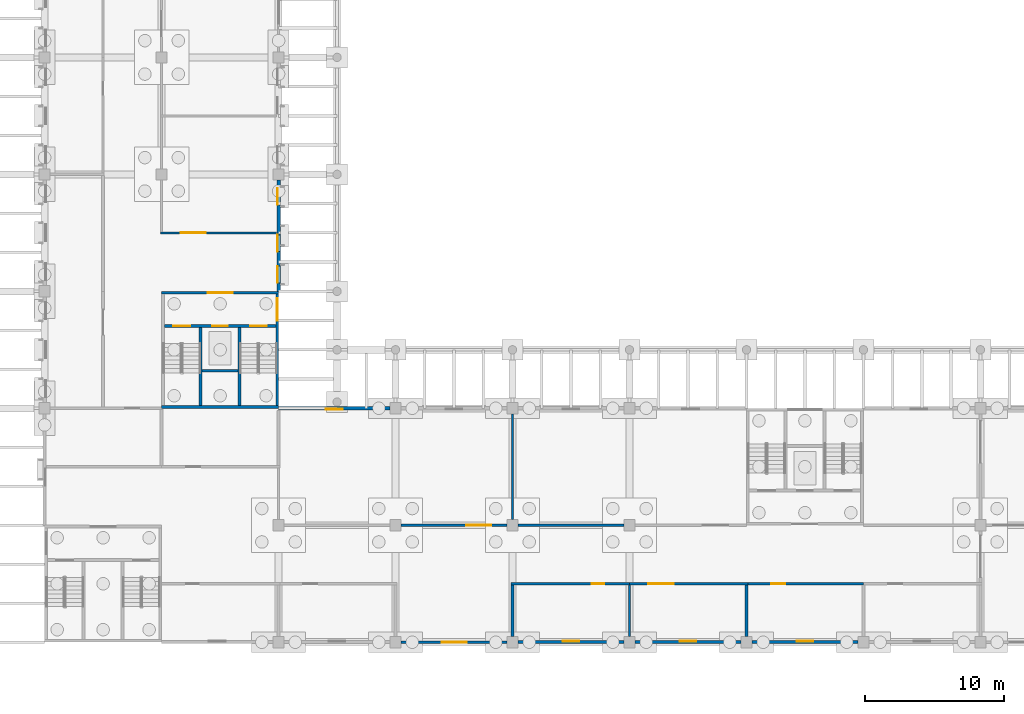
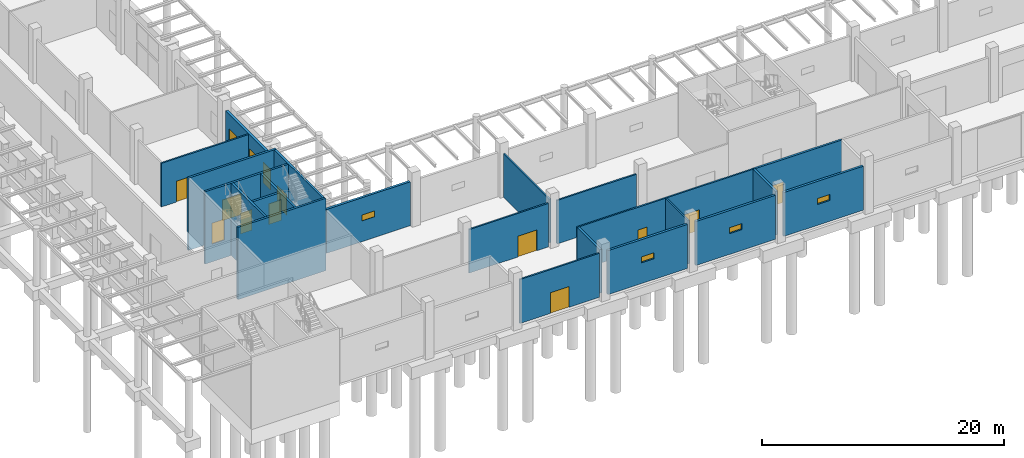
# One storey, part 26 of 82: 23 walls, 11 doors, 7 windows, 18 openings.
"""IFC4 building model written with IfcOpenShell, lengths in metres."""

from ifc_helpers import new_model, si_unit, direction, frame, frame_2d, origin, place, context, subcontext, project, spatial, rectangle, extrude, material, layer, layer_set, type_object, element, fill, save


model = new_model("IFC4")

# Units and contexts
model_context = context("Model", 3, precision=1e-05, world=origin(), true_north=direction((0.0, 1.0)))
body_context = subcontext(model_context, "Body", "Model", "MODEL_VIEW")
ifc_project = project(units=[si_unit("LENGTHUNIT", "METRE"), si_unit("AREAUNIT", "SQUARE_METRE"), si_unit("VOLUMEUNIT", "CUBIC_METRE"), si_unit("PLANEANGLEUNIT", "RADIAN"), si_unit("MASSUNIT", "GRAM", prefix="KILO")], contexts=[model_context])

# Site, building, storey
site_placement = place(None, origin())
site = spatial("IfcSite", under=ifc_project, at=site_placement, CompositionType="ELEMENT")
building_placement = place(site_placement, origin())
building = spatial("IfcBuilding", under=site, at=building_placement, Name="Almond Square Museum", CompositionType="ELEMENT")
storey_placement = place(building_placement, origin())
storey = spatial("IfcBuildingStorey", under=building, at=storey_placement, Name="L00", CompositionType="ELEMENT", Elevation=0.0)

# Wall, opening, door
ifc_material_1 = material(Name="Concrete blockwork 200", Category="masonry")
ifc_layer_1 = layer(ifc_material_1, 0.199951171875)
ifc_layer_set_1 = layer_set([ifc_layer_1], Name="Concrete blockwork 200")
wall_type_1 = type_object("IfcWallType", Name="Fire partition 200 blockwork", PredefinedType="PARTITIONING", material=ifc_layer_set_1)
wall_1_placement = place(storey_placement, frame((56.300048828125, 4.199951171875, 0.0), z_axis=(0.0, 0.0, 1.0), x_axis=(1.0, 0.0, 0.0)))
wall_1 = element("IfcWall", 1, at=wall_1_placement, inside=storey, type_object=wall_type_1, Name="L00 partition 104", PredefinedType="PARTITIONING", context=body_context, shape_type="SweptSolid", body=[
    extrude(rectangle(XDim=8.5, YDim=0.199951171875, at=frame_2d((4.25, 0.0))), origin(), (0.0, 0.0, 1.0), 4.39990234375),
])
opening_1_placement = place(wall_1_placement, frame((1.875, 0.0, 0.0)))
opening_1 = element("IfcOpeningElement", 2, at=opening_1_placement, cuts=wall_1, Name="Opening D0131", PredefinedType="OPENING", context=body_context, shape_type="SweptSolid", body=[
    extrude(rectangle(XDim=1.0, YDim=2.10009765625, at=frame_2d((0.5, 1.050048828125))), frame((0.0, 0.10986328125, 0.0), z_axis=(0.0, -1.0, 0.0), x_axis=(1.0, 0.0, 0.0)), (0.0, 0.0, 1.0), 0.219970703125),
])
ifc_material_2 = material(Name="Steel", Category="steel")
door_type_1 = type_object("IfcDoorType", Name="Fire door 1000 x 2100 FD60 single", OperationType="NOTDEFINED", PredefinedType="DOOR", material=ifc_material_2)
door_1_placement = place(opening_1_placement, origin())
door_1 = element("IfcDoor", 3, at=door_1_placement, inside=storey, type_object=door_type_1, Name="L00 door Switch Room to Service Corridor 2", OperationType="SINGLE_SWING_RIGHT", OverallHeight=2.10009765625, OverallWidth=1.0, PredefinedType="DOOR", context=body_context, shape_type="SweptSolid", body=[
    extrude(rectangle(XDim=1.0, YDim=2.10009765625, at=frame_2d((0.5, 1.050048828125))), frame((0.0, 0.02490234375, 0.0), z_axis=(0.0, -1.0, 0.0), x_axis=(1.0, 0.0, 0.0)), (0.0, 0.0, 1.0), 0.050048828125),
])
fill(opening_1, door_1)

# Walls
for number, where, z_axis, x_axis, name in (
    (4, (39.60009765625, 0.39990234375, 0.0), (0.0, 0.0, 1.0), (0.0, 1.0, 0.0), "L00 partition 110"),
    (5, (56.39990234375, 0.39990234375, 0.0), (0.0, 0.0, 1.0), (0.0, 1.0, 0.0), "L00 partition 113"),
):
    element("IfcWall", number, at=place(storey_placement, frame(where, z_axis=z_axis, x_axis=x_axis)), inside=storey, type_object=wall_type_1, Name=name, PredefinedType="PARTITIONING", context=body_context, shape_type="SweptSolid", body=[
        extrude(rectangle(XDim=3.72509765625, YDim=0.199951171875, at=frame_2d((1.862548828125, 0.0))), origin(), (0.0, 0.0, 1.0), 4.39990234375),
    ])

# Wall, opening, door
ifc_material_3 = material(Name="Aluminium and laminated glass", Category="aluminium")
ifc_layer_2 = layer(ifc_material_3, 0.14990234375)
ifc_layer_set_2 = layer_set([ifc_layer_2], Name="Aluminium and laminated glass")
wall_type_2 = type_object("IfcWallType", Name="Glazed entrance screen 150", PredefinedType="ELEMENTEDWALL", material=ifc_layer_set_2)
wall_2_placement = place(storey_placement, frame((31.60009765625, 0.0, 0.0), z_axis=(0.0, 0.0, 1.0), x_axis=(1.0, 0.0, 0.0)))
wall_2 = element("IfcWall", 6, at=wall_2_placement, inside=storey, type_object=wall_type_2, Name="External wall W6 V5S L00 S03", PredefinedType="ELEMENTEDWALL", context=body_context, shape_type="SweptSolid", body=[
    extrude(rectangle(XDim=7.599853515625, YDim=0.14990234375, at=frame_2d((3.7998046875, 0.0))), origin(), (0.0, 0.0, 1.0), 4.43994140625),
])
opening_2_placement = place(wall_2_placement, frame((2.89990234375, 0.0, 0.0)))
opening_2 = element("IfcOpeningElement", 7, at=opening_2_placement, cuts=wall_2, Name="Opening D001", PredefinedType="OPENING", context=body_context, shape_type="SweptSolid", body=[
    extrude(rectangle(XDim=1.800048828125, YDim=2.10009765625, at=frame_2d((0.89990234375, 1.050048828125))), frame((0.0, 0.0849609375, 0.0), z_axis=(0.0, -1.0, 0.0), x_axis=(1.0, 0.0, 0.0)), (0.0, 0.0, 1.0), 0.169921875),
])
ifc_material_4 = material(Name="Steel frame and timber leaf", Category="steel")
door_type_2 = type_object("IfcDoorType", Name="Staff entrance door 1800 x 2100", OperationType="NOTDEFINED", PredefinedType="DOOR", material=ifc_material_4)
door_2_placement = place(opening_2_placement, origin())
door_2 = element("IfcDoor", 8, at=door_2_placement, inside=storey, type_object=door_type_2, Name="Staff Entrance door D001", OperationType="SINGLE_SWING_RIGHT", OverallHeight=2.10009765625, OverallWidth=1.800048828125, PredefinedType="DOOR", context=body_context, shape_type="SweptSolid", body=[
    extrude(rectangle(XDim=1.800048828125, YDim=2.10009765625, at=frame_2d((0.89990234375, 1.050048828125))), frame((0.0, 0.02490234375, 0.0), z_axis=(0.0, -1.0, 0.0), x_axis=(1.0, 0.0, 0.0)), (0.0, 0.0, 1.0), 0.050048828125),
])
fill(opening_2, door_2)

ifc_material_5 = material(Name="Plasterboard on steel stud", Category="steel")
ifc_layer_3 = layer(ifc_material_5, 0.14990234375)
ifc_layer_set_3 = layer_set([ifc_layer_3], Name="Plasterboard on steel stud")
wall_type_3 = type_object("IfcWallType", Name="Partition 150 plasterboard on steel stud", PredefinedType="PARTITIONING", material=ifc_layer_set_3)
wall_3_placement = place(storey_placement, frame((14.324951171875, 29.39990234375, 0.0), z_axis=(0.0, 0.0, 1.0), x_axis=(1.0, 0.0, 0.0)))
wall_3 = element("IfcWall", 9, at=wall_3_placement, inside=storey, type_object=wall_type_3, Name="L00 partition 58", PredefinedType="PARTITIONING", context=body_context, shape_type="SweptSolid", body=[
    extrude(rectangle(XDim=8.324951171875, YDim=0.14990234375, at=frame_2d((4.16259765625, 0.0))), origin(), (0.0, 0.0, 1.0), 4.39990234375),
])
opening_3_placement = place(wall_3_placement, frame((1.4375, 0.0, 0.0)))
opening_3 = element("IfcOpeningElement", 10, at=opening_3_placement, cuts=wall_3, Name="Opening D0119", PredefinedType="OPENING", context=body_context, shape_type="SweptSolid", body=[
    extrude(rectangle(XDim=1.800048828125, YDim=2.10009765625, at=frame_2d((0.89990234375, 1.050048828125))), frame((0.0, 0.0849609375, 0.0), z_axis=(0.0, -1.0, 0.0), x_axis=(1.0, 0.0, 0.0)), (0.0, 0.0, 1.0), 0.169921875),
])
ifc_material_6 = material(Name="Timber", Category="wood")
door_type_3 = type_object("IfcDoorType", Name="Door 1800 x 2100 timber double", OperationType="NOTDEFINED", PredefinedType="DOOR", material=ifc_material_6)
door_3_placement = place(opening_3_placement, origin())
door_3 = element("IfcDoor", 11, at=door_3_placement, inside=storey, type_object=door_type_3, Name="L00 door Learning Studio 3 to Wing Corridor", OperationType="DOUBLE_DOOR_SINGLE_SWING", OverallHeight=2.10009765625, OverallWidth=1.800048828125, PredefinedType="DOOR", context=body_context, shape_type="SweptSolid", body=[
    extrude(rectangle(XDim=1.800048828125, YDim=2.10009765625, at=frame_2d((0.89990234375, 1.050048828125))), frame((0.0, 0.02490234375, 0.0), z_axis=(0.0, -1.0, 0.0), x_axis=(1.0, 0.0, 0.0)), (0.0, 0.0, 1.0), 0.050048828125),
])
fill(opening_3, door_3)

# Wall
wall_4_placement = place(storey_placement, frame((39.60009765625, 8.800048828125, 0.0), z_axis=(0.0, 0.0, 1.0), x_axis=(0.0, 1.0, 0.0)))
element("IfcWall", 12, at=wall_4_placement, inside=storey, type_object=wall_type_3, Name="L00 partition 80", PredefinedType="PARTITIONING", context=body_context, shape_type="SweptSolid", body=[
    extrude(rectangle(XDim=7.599853515625, YDim=0.14990234375, at=frame_2d((3.7998046875, 0.0))), origin(), (0.0, 0.0, 1.0), 4.39990234375),
])

# Wall, opening, door
wall_5_placement = place(storey_placement, frame((31.60009765625, 8.39990234375, 0.0), z_axis=(0.0, 0.0, 1.0), x_axis=(1.0, 0.0, 0.0)))
wall_5 = element("IfcWall", 13, at=wall_5_placement, inside=storey, type_object=wall_type_3, Name="L00 partition 82", PredefinedType="PARTITIONING", context=body_context, shape_type="SweptSolid", body=[
    extrude(rectangle(XDim=7.599853515625, YDim=0.14990234375, at=frame_2d((3.7998046875, 0.0))), origin(), (0.0, 0.0, 1.0), 4.39990234375),
])
opening_4_placement = place(wall_5_placement, frame((4.675048828125, 0.0, 0.0)))
opening_4 = element("IfcOpeningElement", 14, at=opening_4_placement, cuts=wall_5, Name="Opening D0125", PredefinedType="OPENING", context=body_context, shape_type="SweptSolid", body=[
    extrude(rectangle(XDim=1.800048828125, YDim=2.10009765625, at=frame_2d((0.89990234375, 1.050048828125))), frame((0.0, 0.0849609375, 0.0), z_axis=(0.0, -1.0, 0.0), x_axis=(1.0, 0.0, 0.0)), (0.0, 0.0, 1.0), 0.169921875),
])
door_4_placement = place(opening_4_placement, origin())
door_4 = element("IfcDoor", 15, at=door_4_placement, inside=storey, type_object=door_type_3, Name="L00 door Quarantine Room to Service Corridor 2", OperationType="DOUBLE_DOOR_SINGLE_SWING", OverallHeight=2.10009765625, OverallWidth=1.800048828125, PredefinedType="DOOR", context=body_context, shape_type="SweptSolid", body=[
    extrude(rectangle(XDim=1.800048828125, YDim=2.10009765625, at=frame_2d((0.89990234375, 1.050048828125))), frame((0.0, 0.02490234375, 0.0), z_axis=(0.0, -1.0, 0.0), x_axis=(1.0, 0.0, 0.0)), (0.0, 0.0, 1.0), 0.050048828125),
])
fill(opening_4, door_4)

# Wall
wall_6_placement = place(storey_placement, frame((40.0, 8.39990234375, 0.0), z_axis=(0.0, 0.0, 1.0), x_axis=(1.0, 0.0, 0.0)))
element("IfcWall", 16, at=wall_6_placement, inside=storey, type_object=wall_type_3, Name="L00 partition 83", PredefinedType="PARTITIONING", context=body_context, shape_type="SweptSolid", body=[
    extrude(rectangle(XDim=7.60009765625, YDim=0.14990234375, at=frame_2d((3.800048828125, 0.0))), origin(), (0.0, 0.0, 1.0), 4.39990234375),
])

# Wall, opening, door
wall_7_placement = place(storey_placement, frame((39.5, 4.199951171875, 0.0), z_axis=(0.0, 0.0, 1.0), x_axis=(1.0, 0.0, 0.0)))
wall_7 = element("IfcWall", 17, at=wall_7_placement, inside=storey, type_object=wall_type_3, Name="L00 partition 102", PredefinedType="PARTITIONING", context=body_context, shape_type="SweptSolid", body=[
    extrude(rectangle(XDim=8.5, YDim=0.14990234375, at=frame_2d((4.25, 0.0))), origin(), (0.0, 0.0, 1.0), 4.39990234375),
])
opening_5_placement = place(wall_7_placement, frame((5.78759765625, 0.0, 0.0)))
opening_5 = element("IfcOpeningElement", 18, at=opening_5_placement, cuts=wall_7, Name="Opening D0129", PredefinedType="OPENING", context=body_context, shape_type="SweptSolid", body=[
    extrude(rectangle(XDim=0.89990234375, YDim=2.10009765625, at=frame_2d((0.449951171875, 1.050048828125))), frame((0.0, 0.0849609375, 0.0), z_axis=(0.0, -1.0, 0.0), x_axis=(1.0, 0.0, 0.0)), (0.0, 0.0, 1.0), 0.169921875),
])
ifc_material_7 = material(Name="Timber", Category="wood")
door_type_4 = type_object("IfcDoorType", Name="Door 900 x 2100 timber single", OperationType="NOTDEFINED", PredefinedType="DOOR", material=ifc_material_7)
door_5_placement = place(opening_5_placement, origin())
door_5 = element("IfcDoor", 19, at=door_5_placement, inside=storey, type_object=door_type_4, Name="L00 door Staff Cloakroom to Service Corridor 2", OperationType="SINGLE_SWING_RIGHT", OverallHeight=2.10009765625, OverallWidth=0.89990234375, PredefinedType="DOOR", context=body_context, shape_type="SweptSolid", body=[
    extrude(rectangle(XDim=0.89990234375, YDim=2.10009765625, at=frame_2d((0.449951171875, 1.050048828125))), frame((0.0, 0.02490234375, 0.0), z_axis=(0.0, -1.0, 0.0), x_axis=(1.0, 0.0, 0.0)), (0.0, 0.0, 1.0), 0.050048828125),
])
fill(opening_5, door_5)

wall_8_placement = place(storey_placement, frame((48.0, 4.199951171875, 0.0), z_axis=(0.0, 0.0, 1.0), x_axis=(1.0, 0.0, 0.0)))
wall_8 = element("IfcWall", 20, at=wall_8_placement, inside=storey, type_object=wall_type_3, Name="L00 partition 103", PredefinedType="PARTITIONING", context=body_context, shape_type="SweptSolid", body=[
    extrude(rectangle(XDim=8.5, YDim=0.14990234375, at=frame_2d((4.25, 0.0))), origin(), (0.0, 0.0, 1.0), 4.39990234375),
])
opening_6_placement = place(wall_8_placement, frame((1.362548828125, 0.0, 0.0)))
opening_6 = element("IfcOpeningElement", 21, at=opening_6_placement, cuts=wall_8, Name="Opening D0130", PredefinedType="OPENING", context=body_context, shape_type="SweptSolid", body=[
    extrude(rectangle(XDim=1.800048828125, YDim=2.10009765625, at=frame_2d((0.89990234375, 1.050048828125))), frame((0.0, 0.0849609375, 0.0), z_axis=(0.0, -1.0, 0.0), x_axis=(1.0, 0.0, 0.0)), (0.0, 0.0, 1.0), 0.169921875),
])
door_6_placement = place(opening_6_placement, origin())
door_6 = element("IfcDoor", 22, at=door_6_placement, inside=storey, type_object=door_type_3, Name="L00 door Staff Lounge to Service Corridor 2", OperationType="DOUBLE_DOOR_SINGLE_SWING", OverallHeight=2.10009765625, OverallWidth=1.800048828125, PredefinedType="DOOR", context=body_context, shape_type="SweptSolid", body=[
    extrude(rectangle(XDim=1.800048828125, YDim=2.10009765625, at=frame_2d((0.89990234375, 1.050048828125))), frame((0.0, 0.02490234375, 0.0), z_axis=(0.0, -1.0, 0.0), x_axis=(1.0, 0.0, 0.0)), (0.0, 0.0, 1.0), 0.050048828125),
])
fill(opening_6, door_6)

# Wall
wall_9_placement = place(storey_placement, frame((48.0, 0.39990234375, 0.0), z_axis=(0.0, 0.0, 1.0), x_axis=(0.0, 1.0, 0.0)))
element("IfcWall", 23, at=wall_9_placement, inside=storey, type_object=wall_type_3, Name="L00 partition 112", PredefinedType="PARTITIONING", context=body_context, shape_type="SweptSolid", body=[
    extrude(rectangle(XDim=3.72509765625, YDim=0.14990234375, at=frame_2d((1.862548828125, 0.0))), origin(), (0.0, 0.0, 1.0), 4.39990234375),
])

# Wall, openings, windows
ifc_material_8 = material(Name="Precast concrete C40/50", Category="concrete")
ifc_layer_4 = layer(ifc_material_8, 0.25)
ifc_layer_set_4 = layer_set([ifc_layer_4], Name="Precast concrete C40/50")
wall_type_4 = type_object("IfcWallType", Name="Precast concrete panel wall 250 with coral limestone piers", PredefinedType="SOLIDWALL", material=ifc_layer_set_4)
wall_10_placement = place(storey_placement, frame((22.800048828125, 25.199951171875, 0.0), z_axis=(0.0, 0.0, 1.0), x_axis=(0.0, 1.0, 0.0)))
wall_10 = element("IfcWall", 24, at=wall_10_placement, inside=storey, type_object=wall_type_4, Name="External wall W2 V4W L00 E01", PredefinedType="SOLIDWALL", context=body_context, shape_type="SweptSolid", body=[
    extrude(rectangle(XDim=8.0, YDim=0.25, at=frame_2d((4.0, 0.0))), origin(), (0.0, 0.0, 1.0), 4.43994140625),
])
opening_7_placement = place(wall_10_placement, frame((0.60009765625, 0.0, 0.89990234375)))
opening_7 = element("IfcOpeningElement", 25, at=opening_7_placement, cuts=wall_10, Name="Opening W0035", PredefinedType="OPENING", context=body_context, shape_type="SweptSolid", body=[
    extrude(rectangle(XDim=1.199951171875, YDim=2.10009765625, at=frame_2d((0.60009765625, 1.050048828125))), frame((0.0, 0.135009765625, 0.0), z_axis=(0.0, -1.0, 0.0), x_axis=(1.0, 0.0, 0.0)), (0.0, 0.0, 1.0), 0.27001953125),
])
opening_8_placement = place(wall_10_placement, frame((2.85009765625, 0.0, 0.89990234375)))
opening_8 = element("IfcOpeningElement", 26, at=opening_8_placement, cuts=wall_10, Name="Opening W0036", PredefinedType="OPENING", context=body_context, shape_type="SweptSolid", body=[
    extrude(rectangle(XDim=1.199951171875, YDim=2.10009765625, at=frame_2d((0.60009765625, 1.050048828125))), frame((0.0, 0.135009765625, 0.0), z_axis=(0.0, -1.0, 0.0), x_axis=(1.0, 0.0, 0.0)), (0.0, 0.0, 1.0), 0.27001953125),
])
opening_9_placement = place(wall_10_placement, frame((6.199951171875, 0.0, 0.89990234375)))
opening_9 = element("IfcOpeningElement", 27, at=opening_9_placement, cuts=wall_10, Name="Opening W0037", PredefinedType="OPENING", context=body_context, shape_type="SweptSolid", body=[
    extrude(rectangle(XDim=1.199951171875, YDim=2.10009765625, at=frame_2d((0.60009765625, 1.050048828125))), frame((0.0, 0.135009765625, 0.0), z_axis=(0.0, -1.0, 0.0), x_axis=(1.0, 0.0, 0.0)), (0.0, 0.0, 1.0), 0.27001953125),
])
ifc_material_9 = material(Name="Anodised aluminium louvre and laminated glass", Category="aluminium")
window_type_1 = type_object("IfcWindowType", Name="Louvred pier window", PartitioningType="SINGLE_PANEL", PredefinedType="WINDOW", material=ifc_material_9)
window_1_placement = place(opening_7_placement, origin())
window_1 = element("IfcWindow", 28, at=window_1_placement, inside=storey, type_object=window_type_1, Name="Louvred pier window W0035", OverallHeight=2.10009765625, OverallWidth=1.199951171875, PartitioningType="SINGLE_PANEL", PredefinedType="WINDOW", context=body_context, shape_type="SweptSolid", body=[
    extrude(rectangle(XDim=1.199951171875, YDim=2.10009765625, at=frame_2d((0.60009765625, 1.050048828125))), frame((0.0, 0.10498046875, 0.0), z_axis=(0.0, -1.0, 0.0), x_axis=(1.0, 0.0, 0.0)), (0.0, 0.0, 1.0), 0.06005859375),
])
fill(opening_7, window_1)
window_2_placement = place(opening_8_placement, origin())
window_2 = element("IfcWindow", 29, at=window_2_placement, inside=storey, type_object=window_type_1, Name="Louvred pier window W0036", OverallHeight=2.10009765625, OverallWidth=1.199951171875, PartitioningType="SINGLE_PANEL", PredefinedType="WINDOW", context=body_context, shape_type="SweptSolid", body=[
    extrude(rectangle(XDim=1.199951171875, YDim=2.10009765625, at=frame_2d((0.60009765625, 1.050048828125))), frame((0.0, 0.10498046875, 0.0), z_axis=(0.0, -1.0, 0.0), x_axis=(1.0, 0.0, 0.0)), (0.0, 0.0, 1.0), 0.06005859375),
])
fill(opening_8, window_2)
window_3_placement = place(opening_9_placement, origin())
window_3 = element("IfcWindow", 30, at=window_3_placement, inside=storey, type_object=window_type_1, Name="Louvred pier window W0037", OverallHeight=2.10009765625, OverallWidth=1.199951171875, PartitioningType="SINGLE_PANEL", PredefinedType="WINDOW", context=body_context, shape_type="SweptSolid", body=[
    extrude(rectangle(XDim=1.199951171875, YDim=2.10009765625, at=frame_2d((0.60009765625, 1.050048828125))), frame((0.0, 0.10498046875, 0.0), z_axis=(0.0, -1.0, 0.0), x_axis=(1.0, 0.0, 0.0)), (0.0, 0.0, 1.0), 0.06005859375),
])
fill(opening_9, window_3)

# Wall
ifc_material_10 = material(Name="Concrete C40/50", Category="concrete")
ifc_layer_5 = layer(ifc_material_10, 0.199951171875)
ifc_layer_set_5 = layer_set([ifc_layer_5], Name="Concrete C40/50")
wall_type_5 = type_object("IfcWallType", Name="RC shear wall 200 C40/50", PredefinedType="SHEAR", material=ifc_layer_set_5)
wall_11_placement = place(storey_placement, frame((14.39990234375, 16.89990234375, -1.800048828125), z_axis=(0.0, 0.0, 1.0), x_axis=(1.0, 0.0, 0.0)))
element("IfcWall", 31, at=wall_11_placement, inside=storey, type_object=wall_type_5, Name="Core W1 south wall L00", PredefinedType="SHEAR", context=body_context, shape_type="SweptSolid", body=[
    extrude(rectangle(XDim=8.400146484375, YDim=0.199951171875, at=frame_2d((4.2001953125, 0.0))), origin(), (0.0, 0.0, 1.0), 7.300048828125),
])

# Wall, opening, door
wall_12_placement = place(storey_placement, frame((14.39990234375, 25.10009765625, -1.800048828125), z_axis=(0.0, 0.0, 1.0), x_axis=(1.0, 0.0, 0.0)))
wall_12 = element("IfcWall", 32, at=wall_12_placement, inside=storey, type_object=wall_type_5, Name="Core W1 north wall L00", PredefinedType="SHEAR", context=body_context, shape_type="SweptSolid", body=[
    extrude(rectangle(XDim=8.400146484375, YDim=0.199951171875, at=frame_2d((4.2001953125, 0.0))), origin(), (0.0, 0.0, 1.0), 7.300048828125),
])
opening_10_placement = place(wall_12_placement, frame((3.300048828125, 0.0, 1.800048828125)))
opening_10 = element("IfcOpeningElement", 33, at=opening_10_placement, cuts=wall_12, Name="Opening D0192", PredefinedType="OPENING", context=body_context, shape_type="SweptSolid", body=[
    extrude(rectangle(XDim=1.800048828125, YDim=2.10009765625, at=frame_2d((0.89990234375, 1.050048828125))), frame((0.0, 0.10986328125, 0.0), z_axis=(0.0, -1.0, 0.0), x_axis=(1.0, 0.0, 0.0)), (0.0, 0.0, 1.0), 0.219970703125),
])
ifc_material_11 = material(Name="Steel", Category="steel")
door_type_5 = type_object("IfcDoorType", Name="Fire door 1800 x 2100 FD60 double", OperationType="NOTDEFINED", PredefinedType="DOOR", material=ifc_material_11)
door_7_placement = place(opening_10_placement, origin())
door_7 = element("IfcDoor", 34, at=door_7_placement, inside=storey, type_object=door_type_5, Name="L00 stair core W1 lobby door", OperationType="DOUBLE_DOOR_SINGLE_SWING", OverallHeight=2.10009765625, OverallWidth=1.800048828125, PredefinedType="DOOR", context=body_context, shape_type="SweptSolid", body=[
    extrude(rectangle(XDim=1.800048828125, YDim=2.10009765625, at=frame_2d((0.89990234375, 1.050048828125))), frame((0.0, 0.02490234375, 0.0), z_axis=(0.0, -1.0, 0.0), x_axis=(1.0, 0.0, 0.0)), (0.0, 0.0, 1.0), 0.050048828125),
])
fill(opening_10, door_7)

wall_13_placement = place(storey_placement, frame((22.699951171875, 25.0, -1.800048828125), z_axis=(0.0, 0.0, 1.0), x_axis=(0.0, -1.0, 0.0)))
wall_13 = element("IfcWall", 35, at=wall_13_placement, inside=storey, type_object=wall_type_5, Name="Core W1 east wall L00", PredefinedType="SHEAR", context=body_context, shape_type="SweptSolid", body=[
    extrude(rectangle(XDim=8.0, YDim=0.199951171875, at=frame_2d((4.0, 0.0))), origin(), (0.0, 0.0, 1.0), 7.300048828125),
])
opening_11_placement = place(wall_13_placement, frame((0.300048828125, 0.0, 1.800048828125)))
opening_11 = element("IfcOpeningElement", 36, at=opening_11_placement, cuts=wall_13, Name="Opening D028", PredefinedType="OPENING", context=body_context, shape_type="SweptSolid", body=[
    extrude(rectangle(XDim=1.60009765625, YDim=2.10009765625, at=frame_2d((0.800048828125, 1.050048828125))), frame((0.0, 0.10986328125, 0.0), z_axis=(0.0, -1.0, 0.0), x_axis=(1.0, 0.0, 0.0)), (0.0, 0.0, 1.0), 0.219970703125),
])
ifc_material_12 = material(Name="Steel frame and steel leaf", Category="steel")
door_type_6 = type_object("IfcDoorType", Name="Stair exit door pair 1600 x 2100", OperationType="NOTDEFINED", PredefinedType="DOOR", material=ifc_material_12)
door_8_placement = place(opening_11_placement, origin())
door_8 = element("IfcDoor", 37, at=door_8_placement, inside=storey, type_object=door_type_6, Name="Stair Exit W1 door D028", OperationType="DOUBLE_DOOR_SINGLE_SWING", OverallHeight=2.10009765625, OverallWidth=1.60009765625, PredefinedType="DOOR", context=body_context, shape_type="SweptSolid", body=[
    extrude(rectangle(XDim=1.60009765625, YDim=2.10009765625, at=frame_2d((0.800048828125, 1.050048828125))), frame((0.0, 0.02490234375, 0.0), z_axis=(0.0, -1.0, 0.0), x_axis=(1.0, 0.0, 0.0)), (0.0, 0.0, 1.0), 0.050048828125),
])
fill(opening_11, door_8)

# Wall, openings, doors
wall_14_placement = place(storey_placement, frame((14.60009765625, 22.699951171875, -1.800048828125), z_axis=(0.0, 0.0, 1.0), x_axis=(1.0, 0.0, 0.0)))
wall_14 = element("IfcWall", 38, at=wall_14_placement, inside=storey, type_object=wall_type_5, Name="Core W1 lobby wall L00", PredefinedType="SHEAR", context=body_context, shape_type="SweptSolid", body=[
    extrude(rectangle(XDim=8.0, YDim=0.199951171875, at=frame_2d((4.0, 0.0))), origin(), (0.0, 0.0, 1.0), 7.300048828125),
])
opening_12_placement = place(wall_14_placement, frame((0.64990234375, 0.0, 1.800048828125)))
opening_12 = element("IfcOpeningElement", 39, at=opening_12_placement, cuts=wall_14, Name="Opening D0193", PredefinedType="OPENING", context=body_context, shape_type="SweptSolid", body=[
    extrude(rectangle(XDim=1.199951171875, YDim=2.10009765625, at=frame_2d((0.60009765625, 1.050048828125))), frame((0.0, 0.10986328125, 0.0), z_axis=(0.0, -1.0, 0.0), x_axis=(1.0, 0.0, 0.0)), (0.0, 0.0, 1.0), 0.219970703125),
])
opening_13_placement = place(wall_14_placement, frame((6.14990234375, 0.0, 1.800048828125)))
opening_13 = element("IfcOpeningElement", 40, at=opening_13_placement, cuts=wall_14, Name="Opening D0194", PredefinedType="OPENING", context=body_context, shape_type="SweptSolid", body=[
    extrude(rectangle(XDim=1.199951171875, YDim=2.10009765625, at=frame_2d((0.60009765625, 1.050048828125))), frame((0.0, 0.10986328125, 0.0), z_axis=(0.0, -1.0, 0.0), x_axis=(1.0, 0.0, 0.0)), (0.0, 0.0, 1.0), 0.219970703125),
])
opening_14_placement = place(wall_14_placement, frame((3.449951171875, 0.0, 1.800048828125)))
opening_14 = element("IfcOpeningElement", 41, at=opening_14_placement, cuts=wall_14, Name="Opening D0195", PredefinedType="OPENING", context=body_context, shape_type="SweptSolid", body=[
    extrude(rectangle(XDim=1.10009765625, YDim=2.10009765625, at=frame_2d((0.550048828125, 1.050048828125))), frame((0.0, 0.10986328125, 0.0), z_axis=(0.0, -1.0, 0.0), x_axis=(1.0, 0.0, 0.0)), (0.0, 0.0, 1.0), 0.219970703125),
])
ifc_material_13 = material(Name="Steel", Category="steel")
door_type_7 = type_object("IfcDoorType", Name="Fire door 1200 x 2100 FD120 stair", OperationType="NOTDEFINED", PredefinedType="DOOR", material=ifc_material_13)
door_9_placement = place(opening_12_placement, origin())
door_9 = element("IfcDoor", 42, at=door_9_placement, inside=storey, type_object=door_type_7, Name="L00 stair W1-1 door", OperationType="SINGLE_SWING_LEFT", OverallHeight=2.10009765625, OverallWidth=1.199951171875, PredefinedType="DOOR", context=body_context, shape_type="SweptSolid", body=[
    extrude(rectangle(XDim=1.199951171875, YDim=2.10009765625, at=frame_2d((0.60009765625, 1.050048828125))), frame((0.0, 0.02490234375, 0.0), z_axis=(0.0, -1.0, 0.0), x_axis=(1.0, 0.0, 0.0)), (0.0, 0.0, 1.0), 0.050048828125),
])
fill(opening_12, door_9)
door_10_placement = place(opening_13_placement, origin())
door_10 = element("IfcDoor", 43, at=door_10_placement, inside=storey, type_object=door_type_7, Name="L00 stair W1-2 door", OperationType="SINGLE_SWING_RIGHT", OverallHeight=2.10009765625, OverallWidth=1.199951171875, PredefinedType="DOOR", context=body_context, shape_type="SweptSolid", body=[
    extrude(rectangle(XDim=1.199951171875, YDim=2.10009765625, at=frame_2d((0.60009765625, 1.050048828125))), frame((0.0, 0.02490234375, 0.0), z_axis=(0.0, -1.0, 0.0), x_axis=(1.0, 0.0, 0.0)), (0.0, 0.0, 1.0), 0.050048828125),
])
fill(opening_13, door_10)
ifc_material_14 = material(Name="Stainless steel", Category="steel")
door_type_8 = type_object("IfcDoorType", Name="Lift landing door 1100 x 2100", OperationType="NOTDEFINED", PredefinedType="DOOR", material=ifc_material_14)
door_11_placement = place(opening_14_placement, origin())
door_11 = element("IfcDoor", 44, at=door_11_placement, inside=storey, type_object=door_type_8, Name="L00 lift PL-W1 landing door", OperationType="DOUBLE_DOOR_SLIDING", OverallHeight=2.10009765625, OverallWidth=1.10009765625, PredefinedType="DOOR", context=body_context, shape_type="SweptSolid", body=[
    extrude(rectangle(XDim=1.10009765625, YDim=2.10009765625, at=frame_2d((0.550048828125, 1.050048828125))), frame((0.0, 0.02490234375, 0.0), z_axis=(0.0, -1.0, 0.0), x_axis=(1.0, 0.0, 0.0)), (0.0, 0.0, 1.0), 0.050048828125),
])
fill(opening_14, door_11)

# Walls
for number, where, z_axis, x_axis, name in (
    (45, (17.199951171875, 17.0, -1.800048828125), (0.0, 0.0, 1.0), (0.0, 1.0, 0.0), "Core W1 partition wall L00"),
    (46, (20.0, 17.0, -1.800048828125), (0.0, 0.0, 1.0), (0.0, 1.0, 0.0), "Core W1 partition wall L00"),
):
    element("IfcWall", number, at=place(storey_placement, frame(where, z_axis=z_axis, x_axis=x_axis)), inside=storey, type_object=wall_type_5, Name=name, PredefinedType="SHEAR", context=body_context, shape_type="SweptSolid", body=[
        extrude(rectangle(XDim=5.60009765625, YDim=0.199951171875, at=frame_2d((2.800048828125, 0.0))), origin(), (0.0, 0.0, 1.0), 7.300048828125),
    ])
wall_15_placement = place(storey_placement, frame((17.300048828125, 19.5, -1.800048828125), z_axis=(0.0, 0.0, 1.0), x_axis=(1.0, 0.0, 0.0)))
element("IfcWall", 47, at=wall_15_placement, inside=storey, type_object=wall_type_5, Name="Core W1 partition wall L00", PredefinedType="SHEAR", context=body_context, shape_type="SweptSolid", body=[
    extrude(rectangle(XDim=2.599853515625, YDim=0.199951171875, at=frame_2d((1.2998046875, 0.0))), origin(), (0.0, 0.0, 1.0), 7.300048828125),
])

# Wall, opening, window
ifc_material_15 = material(Name="Concrete C30/37", Category="concrete")
ifc_layer_6 = layer(ifc_material_15, 0.219970703125)
ifc_layer_set_6 = layer_set([ifc_layer_6], Name="Concrete C30/37")
wall_type_6 = type_object("IfcWallType", Name="Stucco panel wall 220 with insulation", PredefinedType="SOLIDWALL", material=ifc_layer_set_6)
wall_16_placement = place(storey_placement, frame((40.0, 0.0, 0.0), z_axis=(0.0, 0.0, 1.0), x_axis=(1.0, 0.0, 0.0)))
wall_16 = element("IfcWall", 48, at=wall_16_placement, inside=storey, type_object=wall_type_6, Name="External wall W4 V5S L00 S04", PredefinedType="SOLIDWALL", context=body_context, shape_type="SweptSolid", body=[
    extrude(rectangle(XDim=7.60009765625, YDim=0.219970703125, at=frame_2d((3.800048828125, 0.0))), origin(), (0.0, 0.0, 1.0), 4.43994140625),
])
opening_15_placement = place(wall_16_placement, frame((3.199951171875, 0.0, 2.10009765625)))
opening_15 = element("IfcOpeningElement", 49, at=opening_15_placement, cuts=wall_16, Name="Opening W0003", PredefinedType="OPENING", context=body_context, shape_type="SweptSolid", body=[
    extrude(rectangle(XDim=1.199951171875, YDim=0.60009765625, at=frame_2d((0.60009765625, 0.300048828125))), frame((0.0, 0.119873046875, 0.0), z_axis=(0.0, -1.0, 0.0), x_axis=(1.0, 0.0, 0.0)), (0.0, 0.0, 1.0), 0.239990234375),
])
ifc_material_16 = material(Name="Anodised aluminium louvre", Category="aluminium")
window_type_2 = type_object("IfcWindowType", Name="Louvred vent", PartitioningType="SINGLE_PANEL", PredefinedType="WINDOW", material=ifc_material_16)
window_4_placement = place(opening_15_placement, origin())
window_4 = element("IfcWindow", 50, at=window_4_placement, inside=storey, type_object=window_type_2, Name="Louvred vent W0003", OverallHeight=0.60009765625, OverallWidth=1.199951171875, PartitioningType="SINGLE_PANEL", PredefinedType="WINDOW", context=body_context, shape_type="SweptSolid", body=[
    extrude(rectangle(XDim=1.199951171875, YDim=0.60009765625, at=frame_2d((0.60009765625, 0.300048828125))), frame((0.0, 0.090087890625, 0.0), z_axis=(0.0, -1.0, 0.0), x_axis=(1.0, 0.0, 0.0)), (0.0, 0.0, 1.0), 0.06005859375),
])
fill(opening_15, window_4)

wall_17_placement = place(storey_placement, frame((48.39990234375, 0.0, 0.0), z_axis=(0.0, 0.0, 1.0), x_axis=(1.0, 0.0, 0.0)))
wall_17 = element("IfcWall", 51, at=wall_17_placement, inside=storey, type_object=wall_type_6, Name="External wall W4 V5S L00 S05", PredefinedType="SOLIDWALL", context=body_context, shape_type="SweptSolid", body=[
    extrude(rectangle(XDim=7.60009765625, YDim=0.219970703125, at=frame_2d((3.800048828125, 0.0))), origin(), (0.0, 0.0, 1.0), 4.43994140625),
])
opening_16_placement = place(wall_17_placement, frame((3.199951171875, 0.0, 2.10009765625)))
opening_16 = element("IfcOpeningElement", 52, at=opening_16_placement, cuts=wall_17, Name="Opening W0004", PredefinedType="OPENING", context=body_context, shape_type="SweptSolid", body=[
    extrude(rectangle(XDim=1.199951171875, YDim=0.60009765625, at=frame_2d((0.60009765625, 0.300048828125))), frame((0.0, 0.119873046875, 0.0), z_axis=(0.0, -1.0, 0.0), x_axis=(1.0, 0.0, 0.0)), (0.0, 0.0, 1.0), 0.239990234375),
])
window_5_placement = place(opening_16_placement, origin())
window_5 = element("IfcWindow", 53, at=window_5_placement, inside=storey, type_object=window_type_2, Name="Louvred vent W0004", OverallHeight=0.60009765625, OverallWidth=1.199951171875, PartitioningType="SINGLE_PANEL", PredefinedType="WINDOW", context=body_context, shape_type="SweptSolid", body=[
    extrude(rectangle(XDim=1.199951171875, YDim=0.60009765625, at=frame_2d((0.60009765625, 0.300048828125))), frame((0.0, 0.090087890625, 0.0), z_axis=(0.0, -1.0, 0.0), x_axis=(1.0, 0.0, 0.0)), (0.0, 0.0, 1.0), 0.06005859375),
])
fill(opening_16, window_5)

wall_18_placement = place(storey_placement, frame((56.800048828125, 0.0, 0.0), z_axis=(0.0, 0.0, 1.0), x_axis=(1.0, 0.0, 0.0)))
wall_18 = element("IfcWall", 54, at=wall_18_placement, inside=storey, type_object=wall_type_6, Name="External wall W4 V5S L00 S06", PredefinedType="SOLIDWALL", context=body_context, shape_type="SweptSolid", body=[
    extrude(rectangle(XDim=7.599853515625, YDim=0.219970703125, at=frame_2d((3.7998046875, 0.0))), origin(), (0.0, 0.0, 1.0), 4.43994140625),
])
opening_17_placement = place(wall_18_placement, frame((3.199951171875, 0.0, 2.10009765625)))
opening_17 = element("IfcOpeningElement", 55, at=opening_17_placement, cuts=wall_18, Name="Opening W0005", PredefinedType="OPENING", context=body_context, shape_type="SweptSolid", body=[
    extrude(rectangle(XDim=1.199951171875, YDim=0.60009765625, at=frame_2d((0.60009765625, 0.300048828125))), frame((0.0, 0.119873046875, 0.0), z_axis=(0.0, -1.0, 0.0), x_axis=(1.0, 0.0, 0.0)), (0.0, 0.0, 1.0), 0.239990234375),
])
window_6_placement = place(opening_17_placement, origin())
window_6 = element("IfcWindow", 56, at=window_6_placement, inside=storey, type_object=window_type_2, Name="Louvred vent W0005", OverallHeight=0.60009765625, OverallWidth=1.199951171875, PartitioningType="SINGLE_PANEL", PredefinedType="WINDOW", context=body_context, shape_type="SweptSolid", body=[
    extrude(rectangle(XDim=1.199951171875, YDim=0.60009765625, at=frame_2d((0.60009765625, 0.300048828125))), frame((0.0, 0.090087890625, 0.0), z_axis=(0.0, -1.0, 0.0), x_axis=(1.0, 0.0, 0.0)), (0.0, 0.0, 1.0), 0.06005859375),
])
fill(opening_17, window_6)

wall_19_placement = place(storey_placement, frame((22.800048828125, 16.800048828125, 0.0), z_axis=(0.0, 0.0, 1.0), x_axis=(1.0, 0.0, 0.0)))
wall_19 = element("IfcWall", 57, at=wall_19_placement, inside=storey, type_object=wall_type_6, Name="External wall W4 V5S L00 N11", PredefinedType="SOLIDWALL", context=body_context, shape_type="SweptSolid", body=[
    extrude(rectangle(XDim=8.0, YDim=0.219970703125, at=frame_2d((4.0, 0.0))), origin(), (0.0, 0.0, 1.0), 4.43994140625),
])
opening_18_placement = place(wall_19_placement, frame((3.39990234375, 0.0, 2.10009765625)))
opening_18 = element("IfcOpeningElement", 58, at=opening_18_placement, cuts=wall_19, Name="Opening W0034", PredefinedType="OPENING", context=body_context, shape_type="SweptSolid", body=[
    extrude(rectangle(XDim=1.199951171875, YDim=0.60009765625, at=frame_2d((0.60009765625, 0.300048828125))), frame((0.0, 0.119873046875, 0.0), z_axis=(0.0, -1.0, 0.0), x_axis=(1.0, 0.0, 0.0)), (0.0, 0.0, 1.0), 0.239990234375),
])
window_7_placement = place(opening_18_placement, origin())
window_7 = element("IfcWindow", 59, at=window_7_placement, inside=storey, type_object=window_type_2, Name="Louvred vent W0034", OverallHeight=0.60009765625, OverallWidth=1.199951171875, PartitioningType="SINGLE_PANEL", PredefinedType="WINDOW", context=body_context, shape_type="SweptSolid", body=[
    extrude(rectangle(XDim=1.199951171875, YDim=0.60009765625, at=frame_2d((0.60009765625, 0.300048828125))), frame((0.0, -0.030029296875, 0.0), z_axis=(0.0, -1.0, 0.0), x_axis=(1.0, 0.0, 0.0)), (0.0, 0.0, 1.0), 0.06005859375),
])
fill(opening_18, window_7)

save(model, "model.ifc")
